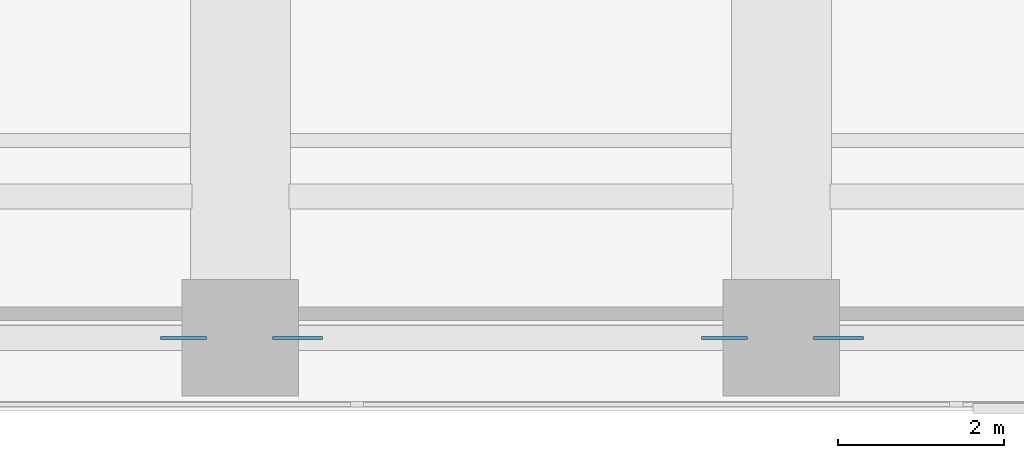
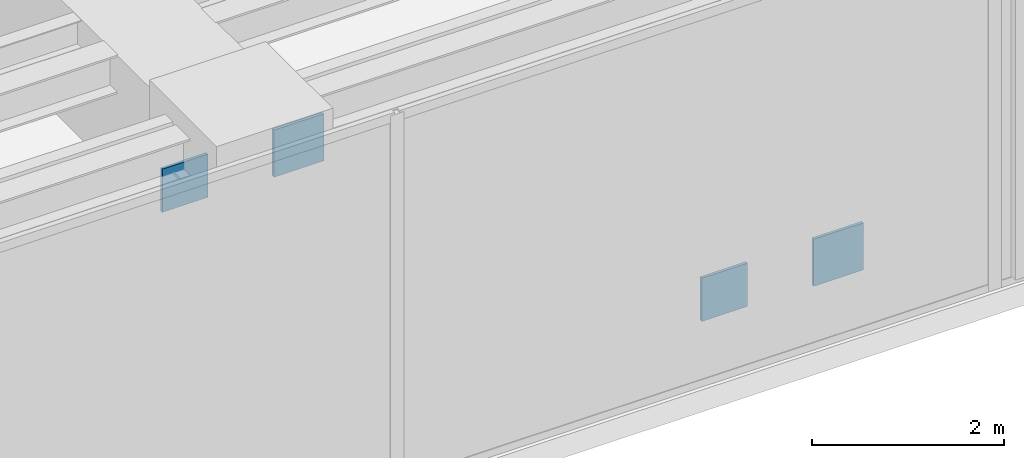
# One storey, part 20 of 31: 4 plates.
"""IFC4 building model written with IfcOpenShell, lengths in metres."""

from ifc_helpers import new_model, si_unit, direction, frame, origin, origin_2d, place, context, subcontext, project, spatial, rectangle, extrude, material, layer, layer_set, type_object, element, save


model = new_model("IFC4")

# Units and contexts
model_context = context("Model", 3, precision=1e-05, world=origin(), true_north=direction((0.0, 1.0)))
body_context = subcontext(model_context, "Body", "Model", "MODEL_VIEW")
ifc_project = project(units=[si_unit("LENGTHUNIT", "METRE"), si_unit("AREAUNIT", "SQUARE_METRE"), si_unit("VOLUMEUNIT", "CUBIC_METRE"), si_unit("PLANEANGLEUNIT", "RADIAN"), si_unit("MASSUNIT", "GRAM", prefix="KILO")], contexts=[model_context])

# Site, building, storey
site_placement = place(None, origin())
site = spatial("IfcSite", under=ifc_project, at=site_placement, CompositionType="ELEMENT")
building_placement = place(site_placement, origin())
building = spatial("IfcBuilding", under=site, at=building_placement, Name="Putna Gate Headquarters", CompositionType="ELEMENT")
storey_placement = place(building_placement, frame((0.0, 0.0, 81.0)))
storey = spatial("IfcBuildingStorey", under=building, at=storey_placement, Name="L19", CompositionType="ELEMENT", Elevation=81.0)

# Plates
ifc_material = material(Name="Steel S460M", Category="steel")
ifc_layer_1 = layer(ifc_material, 0.035888671875)
ifc_layer_set_1 = layer_set([ifc_layer_1], Name="Steel S460M")
plate_type_1 = type_object("IfcPlateType", Name="PLT-NODE-BN1", PredefinedType="SHEET", material=ifc_layer_set_1)
for number, where, z_axis, x_axis, name in (
    (1, (52.68505859375, 0.8798828125, 3.81494140625), (0.0, 0.0, 1.0), (1.0, 0.0, 0.0), "L19 Belt Truss Node Gusset Plate S8-E1"),
    (2, (59.18505859375, 0.8798828125, 0.14990234375), (0.0, 0.0, 1.0), (1.0, 0.0, 0.0), "L19 Belt Truss Node Gusset Plate S9-E1"),
):
    element("IfcPlate", number, at=place(storey_placement, frame(where, z_axis=z_axis, x_axis=x_axis)), inside=storey, type_object=plate_type_1, Name=name, PredefinedType="SHEET", context=body_context, shape_type="SweptSolid", body=[
        extrude(rectangle(XDim=0.60009765625, YDim=0.035888671875, at=origin_2d()), origin(), (0.0, 0.0, 1.0), 0.60009765625),
    ])
ifc_layer_2 = layer(ifc_material, 0.035888671875)
ifc_layer_set_2 = layer_set([ifc_layer_2], Name="Steel S460M")
plate_type_2 = type_object("IfcPlateType", Name="PLT-NODE-BN2", PredefinedType="SHEET", material=ifc_layer_set_2)
for number, where, z_axis, x_axis, name in (
    (3, (51.31494140625, 0.8798828125, 3.83984375), (0.0, 0.0, 1.0), (1.0, 0.0, 0.0), "L19 Belt Truss Node Gusset Plate S7-E2"),
    (4, (57.81494140625, 0.8798828125, 0.1748046875), (0.0, 0.0, 1.0), (1.0, 0.0, 0.0), "L19 Belt Truss Node Gusset Plate S8-E2"),
):
    element("IfcPlate", number, at=place(storey_placement, frame(where, z_axis=z_axis, x_axis=x_axis)), inside=storey, type_object=plate_type_2, Name=name, PredefinedType="SHEET", context=body_context, shape_type="SweptSolid", body=[
        extrude(rectangle(XDim=0.550048828125, YDim=0.035888671875, at=origin_2d()), origin(), (0.0, 0.0, 1.0), 0.550048828125),
    ])

save(model, "model.ifc")
